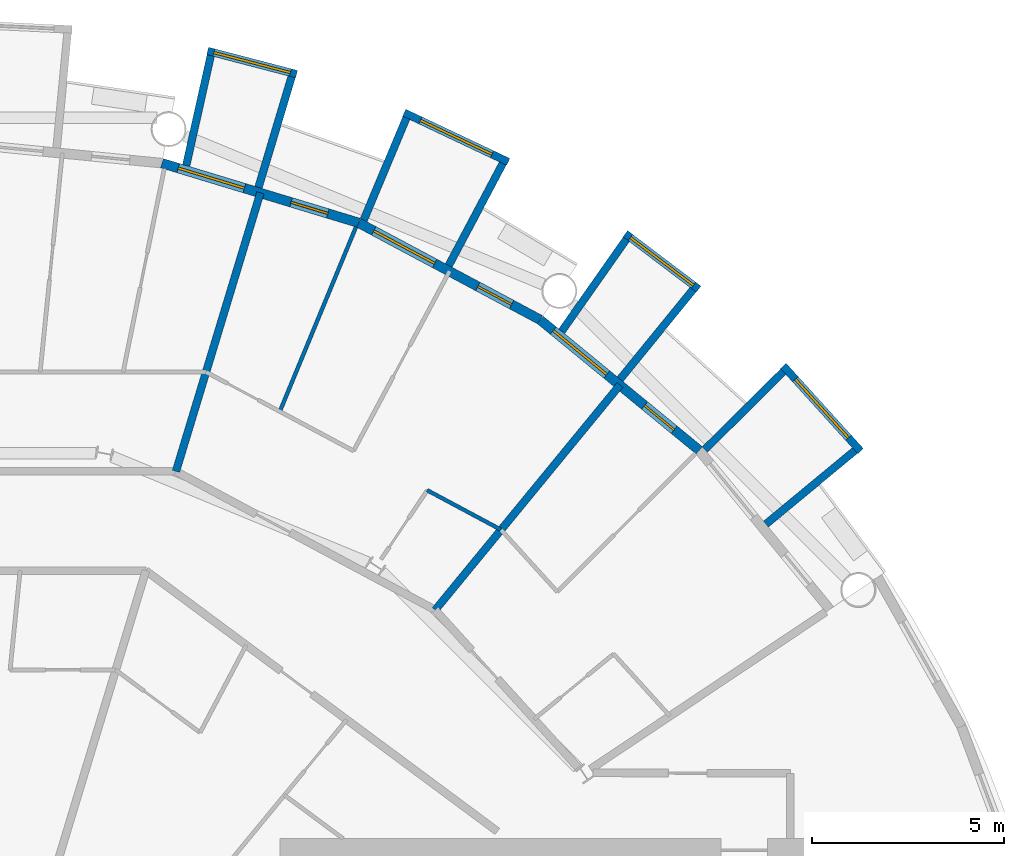
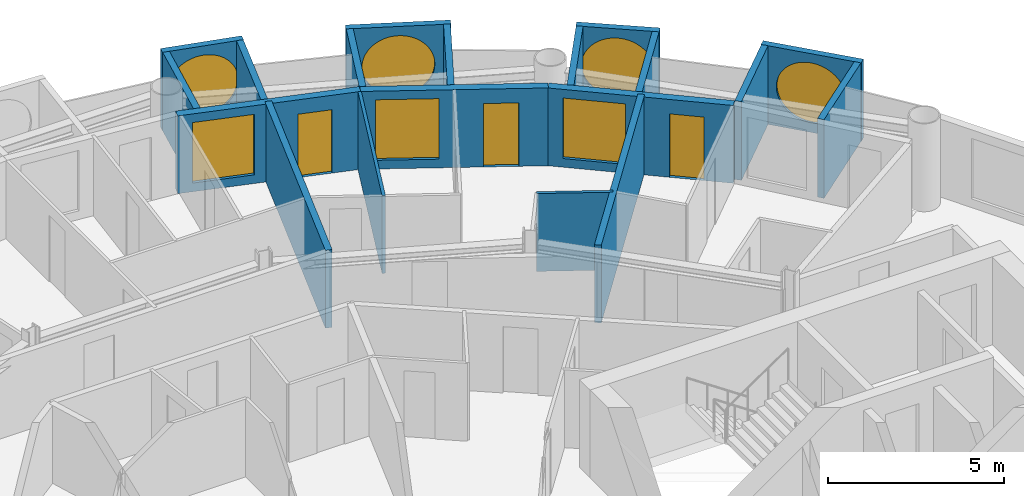
# One storey, part 23 of 27: 19 walls, 7 windows, 3 doors, 10 openings.
"""IFC4 building model written with IfcOpenShell, lengths in metres."""

from ifc_helpers import new_model, si_unit, direction, frame, frame_2d, origin, place, context, subcontext, project, spatial, rectangle, circle, extrude, material, layer, layer_set, type_object, element, fill, save


model = new_model("IFC4")

# Units and contexts
model_context = context("Model", 3, precision=1e-05, world=origin(), true_north=direction((0.0, 1.0)))
body_context = subcontext(model_context, "Body", "Model", "MODEL_VIEW")
ifc_project = project(units=[si_unit("LENGTHUNIT", "METRE"), si_unit("AREAUNIT", "SQUARE_METRE"), si_unit("VOLUMEUNIT", "CUBIC_METRE"), si_unit("PLANEANGLEUNIT", "RADIAN"), si_unit("MASSUNIT", "GRAM", prefix="KILO")], contexts=[model_context])

# Site, building, storey
site_placement = place(None, origin())
site = spatial("IfcSite", under=ifc_project, at=site_placement, CompositionType="ELEMENT")
building_placement = place(site_placement, origin())
building = spatial("IfcBuilding", under=site, at=building_placement, Name="Maasbend Ring Residences", CompositionType="ELEMENT")
storey_placement = place(building_placement, frame((0.0, 0.0, 120.800048828125)))
storey = spatial("IfcBuildingStorey", under=building, at=storey_placement, Name="L34", CompositionType="ELEMENT", Elevation=120.800048828125)

# Wall, opening, window
ifc_material_1 = material(Name="Pale anodised aluminium panel", Category="aluminium")
ifc_layer_1 = layer(ifc_material_1, 0.199951171875)
ifc_layer_set_1 = layer_set([ifc_layer_1], Name="EW-BOX")
wall_type_1 = type_object("IfcWallType", Name="EW-BOX", PredefinedType="SOLIDWALL", material=ifc_layer_set_1)
wall_1_placement = place(storey_placement, frame((23.5029296875, 19.281982421875, -0.030029296875), z_axis=(0.0, 0.0, 1.0), x_axis=(-0.671506829416, 0.740998365753, 0.0)))
wall_1 = element("IfcWall", 1, at=wall_1_placement, inside=storey, type_object=wall_type_1, Name="Box front N02", PredefinedType="SOLIDWALL", context=body_context, shape_type="SweptSolid", body=[
    extrude(rectangle(XDim=2.9931640625, YDim=0.199951171875, at=frame_2d((1.49658203125, 0.0))), origin(), (0.0, 0.0, 1.0), 2.72998046875),
])
opening_1_placement = place(wall_1_placement, frame((0.45654296875, 0.0, 0.330078125)))
opening_1 = element("IfcOpeningElement", 2, at=opening_1_placement, cuts=wall_1, Name="Opening W-RD", PredefinedType="OPENING", context=body_context, shape_type="SweptSolid", body=[
    extrude(circle(Radius=1.0400390625, at=frame_2d((1.0400390625, 1.0400390625))), frame((0.0, 0.10986328125, 0.0), z_axis=(0.0, -1.0, 0.0), x_axis=(1.0, 0.0, 0.0)), (0.0, 0.0, 1.0), 0.219970703125),
])
ifc_material_2 = material(Name="Aluminium and clear glass", Category="aluminium")
window_type_1 = type_object("IfcWindowType", Name="W-RD", PartitioningType="SINGLE_PANEL", PredefinedType="WINDOW", material=ifc_material_2)
window_1_placement = place(opening_1_placement, origin())
window_1 = element("IfcWindow", 3, at=window_1_placement, inside=storey, type_object=window_type_1, Name="Round window N02", OverallHeight=2.080078125, OverallWidth=2.080078125, PartitioningType="SINGLE_PANEL", PredefinedType="WINDOW", context=body_context, shape_type="SweptSolid", body=[
    extrude(circle(Radius=1.0400390625, at=frame_2d((1.0400390625, 1.0400390625))), frame((0.0, 0.030029296875, 0.0), z_axis=(0.0, -1.0, 0.0), x_axis=(1.0, 0.0, 0.0)), (0.0, 0.0, 1.0), 0.06005859375),
])
fill(opening_1, window_1)

# Walls
wall_2_placement = place(storey_placement, frame((21.041015625, 17.384033203125, -0.030029296875), z_axis=(0.0, 0.0, 1.0), x_axis=(0.770784861449, 0.63709551667, 0.0)))
element("IfcWall", 4, at=wall_2_placement, inside=storey, type_object=wall_type_1, Name="Box side wall N02 left", PredefinedType="SOLIDWALL", context=body_context, shape_type="SweptSolid", body=[
    extrude(rectangle(XDim=3.005859375, YDim=0.199951171875, at=frame_2d((1.5029296875, 0.0))), origin(), (0.0, 0.0, 1.0), 2.72998046875),
])
wall_3_placement = place(storey_placement, frame((19.449951171875, 19.322998046875, -0.030029296875), z_axis=(0.0, 0.0, 1.0), x_axis=(0.709727076896, 0.704476739375, 0.0)))
element("IfcWall", 5, at=wall_3_placement, inside=storey, type_object=wall_type_1, Name="Box side wall N02 right", PredefinedType="SOLIDWALL", context=body_context, shape_type="SweptSolid", body=[
    extrude(rectangle(XDim=2.883056640625, YDim=0.199951171875, at=frame_2d((1.44140625, 0.0))), origin(), (0.0, 0.0, 1.0), 2.72998046875),
])

# Wall, opening, window
wall_4_placement = place(storey_placement, frame((19.2890625, 23.4970703125, -0.030029296875), z_axis=(0.0, 0.0, 1.0), x_axis=(-0.797456837111, 0.603375996329, 0.0)))
wall_4 = element("IfcWall", 6, at=wall_4_placement, inside=storey, type_object=wall_type_1, Name="Box front N04", PredefinedType="SOLIDWALL", context=body_context, shape_type="SweptSolid", body=[
    extrude(rectangle(XDim=2.391357421875, YDim=0.199951171875, at=frame_2d((1.19580078125, 0.0))), origin(), (0.0, 0.0, 1.0), 2.72998046875),
])
opening_2_placement = place(wall_4_placement, frame((0.15576171875, 0.0, 0.330078125)))
opening_2 = element("IfcOpeningElement", 7, at=opening_2_placement, cuts=wall_4, Name="Opening W-RD", PredefinedType="OPENING", context=body_context, shape_type="SweptSolid", body=[
    extrude(circle(Radius=1.0400390625, at=frame_2d((1.0400390625, 1.0400390625))), frame((0.0, 0.10986328125, 0.0), z_axis=(0.0, -1.0, 0.0), x_axis=(1.0, 0.0, 0.0)), (0.0, 0.0, 1.0), 0.219970703125),
])
window_2_placement = place(opening_2_placement, origin())
window_2 = element("IfcWindow", 8, at=window_2_placement, inside=storey, type_object=window_type_1, Name="Round window N04", OverallHeight=2.080078125, OverallWidth=2.080078125, PartitioningType="SINGLE_PANEL", PredefinedType="WINDOW", context=body_context, shape_type="SweptSolid", body=[
    extrude(circle(Radius=1.0400390625, at=frame_2d((1.0400390625, 1.0400390625))), frame((0.0, 0.030029296875, 0.0), z_axis=(0.0, -1.0, 0.0), x_axis=(1.0, 0.0, 0.0)), (0.0, 0.0, 1.0), 0.06005859375),
])
fill(opening_2, window_2)

# Walls
wall_5_placement = place(storey_placement, frame((17.24609375, 21.155029296875, -0.030029296875), z_axis=(0.0, 0.0, 1.0), x_axis=(0.631741648902, 0.775179004516, 0.0)))
element("IfcWall", 9, at=wall_5_placement, inside=storey, type_object=wall_type_1, Name="Box side wall N04 left", PredefinedType="SOLIDWALL", context=body_context, shape_type="SweptSolid", body=[
    extrude(rectangle(XDim=3.005859375, YDim=0.199951171875, at=frame_2d((1.5029296875, 0.0))), origin(), (0.0, 0.0, 1.0), 2.72998046875),
])
wall_6_placement = place(storey_placement, frame((15.72607421875, 22.402099609375, -0.030029296875), z_axis=(0.0, 0.0, 1.0), x_axis=(0.574826383135, 0.818275399393, 0.0)))
element("IfcWall", 10, at=wall_6_placement, inside=storey, type_object=wall_type_1, Name="Box side wall N04 right", PredefinedType="SOLIDWALL", context=body_context, shape_type="SweptSolid", body=[
    extrude(rectangle(XDim=2.92919921875, YDim=0.199951171875, at=frame_2d((1.464599609375, 0.0))), origin(), (0.0, 0.0, 1.0), 2.72998046875),
])

# Wall, opening, window
wall_7_placement = place(storey_placement, frame((14.3349609375, 26.80810546875, -0.030029296875), z_axis=(0.0, 0.0, 1.0), x_axis=(-0.904000060331, 0.427532327342, 0.0)))
wall_7 = element("IfcWall", 11, at=wall_7_placement, inside=storey, type_object=wall_type_1, Name="Box front N06", PredefinedType="SOLIDWALL", context=body_context, shape_type="SweptSolid", body=[
    extrude(rectangle(XDim=2.993408203125, YDim=0.199951171875, at=frame_2d((1.49658203125, 0.0))), origin(), (0.0, 0.0, 1.0), 2.72998046875),
])
opening_3_placement = place(wall_7_placement, frame((0.45654296875, 0.0, 0.330078125)))
opening_3 = element("IfcOpeningElement", 12, at=opening_3_placement, cuts=wall_7, Name="Opening W-RD", PredefinedType="OPENING", context=body_context, shape_type="SweptSolid", body=[
    extrude(circle(Radius=1.0400390625, at=frame_2d((1.0400390625, 1.0400390625))), frame((0.0, 0.10986328125, 0.0), z_axis=(0.0, -1.0, 0.0), x_axis=(1.0, 0.0, 0.0)), (0.0, 0.0, 1.0), 0.219970703125),
])
window_3_placement = place(opening_3_placement, origin())
window_3 = element("IfcWindow", 13, at=window_3_placement, inside=storey, type_object=window_type_1, Name="Round window N06", OverallHeight=2.080078125, OverallWidth=2.080078125, PartitioningType="SINGLE_PANEL", PredefinedType="WINDOW", context=body_context, shape_type="SweptSolid", body=[
    extrude(circle(Radius=1.0400390625, at=frame_2d((1.0400390625, 1.0400390625))), frame((0.0, 0.030029296875, 0.0), z_axis=(0.0, -1.0, 0.0), x_axis=(1.0, 0.0, 0.0)), (0.0, 0.0, 1.0), 0.06005859375),
])
fill(opening_3, window_3)

# Walls
wall_8_placement = place(storey_placement, frame((12.787109375, 24.113037109375, -0.030029296875), z_axis=(0.0, 0.0, 1.0), x_axis=(0.468365282436, 0.883534924159, 0.0)))
element("IfcWall", 14, at=wall_8_placement, inside=storey, type_object=wall_type_1, Name="Box side wall N06 left", PredefinedType="SOLIDWALL", context=body_context, shape_type="SweptSolid", body=[
    extrude(rectangle(XDim=3.006103515625, YDim=0.199951171875, at=frame_2d((1.5029296875, 0.0))), origin(), (0.0, 0.0, 1.0), 2.72998046875),
])
wall_9_placement = place(storey_placement, frame((10.574951171875, 25.294921875, -0.030029296875), z_axis=(0.0, 0.0, 1.0), x_axis=(0.385697364644, 0.922625353492, 0.0)))
element("IfcWall", 15, at=wall_9_placement, inside=storey, type_object=wall_type_1, Name="Box side wall N06 right", PredefinedType="SOLIDWALL", context=body_context, shape_type="SweptSolid", body=[
    extrude(rectangle(XDim=2.88330078125, YDim=0.199951171875, at=frame_2d((1.441650390625, 0.0))), origin(), (0.0, 0.0, 1.0), 2.72998046875),
])

# Wall, opening, window
wall_10_placement = place(storey_placement, frame((8.827880859375, 29.090087890625, -0.030029296875), z_axis=(0.0, 0.0, 1.0), x_axis=(-0.967554339146, 0.252663018266, 0.0)))
wall_10 = element("IfcWall", 16, at=wall_10_placement, inside=storey, type_object=wall_type_1, Name="Box front N08", PredefinedType="SOLIDWALL", context=body_context, shape_type="SweptSolid", body=[
    extrude(rectangle(XDim=2.390625, YDim=0.199951171875, at=frame_2d((1.1953125, 0.0))), origin(), (0.0, 0.0, 1.0), 2.72998046875),
])
opening_4_placement = place(wall_10_placement, frame((0.15576171875, 0.0, 0.330078125)))
opening_4 = element("IfcOpeningElement", 17, at=opening_4_placement, cuts=wall_10, Name="Opening W-RD", PredefinedType="OPENING", context=body_context, shape_type="SweptSolid", body=[
    extrude(circle(Radius=1.0400390625, at=frame_2d((1.0400390625, 1.0400390625))), frame((0.0, 0.10986328125, 0.0), z_axis=(0.0, -1.0, 0.0), x_axis=(1.0, 0.0, 0.0)), (0.0, 0.0, 1.0), 0.219970703125),
])
window_4_placement = place(opening_4_placement, origin())
window_4 = element("IfcWindow", 18, at=window_4_placement, inside=storey, type_object=window_type_1, Name="Round window N08", OverallHeight=2.080078125, OverallWidth=2.080078125, PartitioningType="SINGLE_PANEL", PredefinedType="WINDOW", context=body_context, shape_type="SweptSolid", body=[
    extrude(circle(Radius=1.0400390625, at=frame_2d((1.0400390625, 1.0400390625))), frame((0.0, 0.030029296875, 0.0), z_axis=(0.0, -1.0, 0.0), x_axis=(1.0, 0.0, 0.0)), (0.0, 0.0, 1.0), 0.06005859375),
])
fill(opening_4, window_4)

# Walls
wall_11_placement = place(storey_placement, frame((7.8369140625, 26.14404296875, -0.030029296875), z_axis=(0.0, 0.0, 1.0), x_axis=(0.287064767992, 0.957911174889, 0.0)))
element("IfcWall", 19, at=wall_11_placement, inside=storey, type_object=wall_type_1, Name="Box side wall N08 left", PredefinedType="SOLIDWALL", context=body_context, shape_type="SweptSolid", body=[
    extrude(rectangle(XDim=3.00634765625, YDim=0.199951171875, at=frame_2d((1.503173828125, 0.0))), origin(), (0.0, 0.0, 1.0), 2.72998046875),
])
wall_12_placement = place(storey_placement, frame((5.95703125, 26.715087890625, -0.030029296875), z_axis=(0.0, 0.0, 1.0), x_axis=(0.217857287091, 0.975980636315, 0.0)))
element("IfcWall", 20, at=wall_12_placement, inside=storey, type_object=wall_type_1, Name="Box side wall N08 right", PredefinedType="SOLIDWALL", context=body_context, shape_type="SweptSolid", body=[
    extrude(rectangle(XDim=2.92822265625, YDim=0.199951171875, at=frame_2d((1.464111328125, 0.0))), origin(), (0.0, 0.0, 1.0), 2.72998046875),
])

# Wall, openings, door, window
ifc_material_3 = material(Name="Aluminium clad insulated panel", Category="aluminium")
ifc_layer_2 = layer(ifc_material_3, 0.25)
ifc_layer_set_2 = layer_set([ifc_layer_2], Name="EW-GL")
wall_type_2 = type_object("IfcWallType", Name="EW-GL", PredefinedType="SOLIDWALL", material=ifc_layer_set_2)
wall_13_placement = place(storey_placement, frame((19.303955078125, 19.303955078125, 0.0), z_axis=(0.0, 0.0, 1.0), x_axis=(-0.773019449054, 0.634382322723, 0.0)))
wall_13 = element("IfcWall", 21, at=wall_13_placement, inside=storey, type_object=wall_type_2, Name="External wall N02", PredefinedType="SOLIDWALL", context=body_context, shape_type="SweptSolid", body=[
    extrude(rectangle(XDim=5.351806640625, YDim=0.25, at=frame_2d((2.67578125, 0.0))), origin(), (0.0, 0.0, 1.0), 2.699951171875),
])
opening_5_placement = place(wall_13_placement, frame((0.841064453125, 0.0, 0.0)))
opening_5 = element("IfcOpeningElement", 22, at=opening_5_placement, cuts=wall_13, Name="Opening D-LG", PredefinedType="OPENING", context=body_context, shape_type="SweptSolid", body=[
    extrude(rectangle(XDim=1.0, YDim=2.199951171875, at=frame_2d((0.5, 1.10009765625))), frame((0.0, 0.135009765625, 0.0), z_axis=(0.0, -1.0, 0.0), x_axis=(1.0, 0.0, 0.0)), (0.0, 0.0, 1.0), 0.27001953125),
])
opening_6_placement = place(wall_13_placement, frame((3.110595703125, 0.0, 0.300048828125)))
opening_6 = element("IfcOpeningElement", 23, at=opening_6_placement, cuts=wall_13, Name="Opening W-BX", PredefinedType="OPENING", context=body_context, shape_type="SweptSolid", body=[
    extrude(rectangle(XDim=1.800048828125, YDim=2.10009765625, at=frame_2d((0.89990234375, 1.050048828125))), frame((0.0, 0.135009765625, 0.0), z_axis=(0.0, -1.0, 0.0), x_axis=(1.0, 0.0, 0.0)), (0.0, 0.0, 1.0), 0.27001953125),
])
ifc_material_4 = material(Name="Aluminium and clear glass", Category="aluminium")
door_type = type_object("IfcDoorType", Name="D-LG", OperationType="SINGLE_SWING_LEFT", PredefinedType="DOOR", material=ifc_material_4)
door_1_placement = place(opening_5_placement, origin())
door_1 = element("IfcDoor", 24, at=door_1_placement, inside=storey, type_object=door_type, Name="Loggia door N03", OperationType="SINGLE_SWING_LEFT", OverallHeight=2.199951171875, OverallWidth=1.0, PredefinedType="DOOR", context=body_context, shape_type="SweptSolid", body=[
    extrude(rectangle(XDim=1.0, YDim=2.199951171875, at=frame_2d((0.5, 1.10009765625))), frame((0.0, 0.02490234375, 0.0), z_axis=(0.0, -1.0, 0.0), x_axis=(1.0, 0.0, 0.0)), (0.0, 0.0, 1.0), 0.050048828125),
])
fill(opening_5, door_1)
ifc_material_5 = material(Name="Aluminium and clear glass", Category="aluminium")
window_type_2 = type_object("IfcWindowType", Name="W-BX", PartitioningType="DOUBLE_PANEL_VERTICAL", PredefinedType="WINDOW", material=ifc_material_5)
window_5_placement = place(opening_6_placement, origin())
window_5 = element("IfcWindow", 25, at=window_5_placement, inside=storey, type_object=window_type_2, Name="Window N04 room to box", OverallHeight=2.10009765625, OverallWidth=1.800048828125, PartitioningType="SINGLE_PANEL", PredefinedType="WINDOW", context=body_context, shape_type="SweptSolid", body=[
    extrude(rectangle(XDim=1.800048828125, YDim=2.10009765625, at=frame_2d((0.89990234375, 1.050048828125))), frame((0.0, 0.030029296875, 0.0), z_axis=(0.0, -1.0, 0.0), x_axis=(1.0, 0.0, 0.0)), (0.0, 0.0, 1.0), 0.06005859375),
])
fill(opening_6, window_5)

wall_14_placement = place(storey_placement, frame((15.1669921875, 22.698974609375, 0.0), z_axis=(0.0, 0.0, 1.0), x_axis=(-0.881915646801, 0.471407246368, 0.0)))
wall_14 = element("IfcWall", 26, at=wall_14_placement, inside=storey, type_object=wall_type_2, Name="External wall N03", PredefinedType="SOLIDWALL", context=body_context, shape_type="SweptSolid", body=[
    extrude(rectangle(XDim=5.35205078125, YDim=0.25, at=frame_2d((2.676025390625, 0.0))), origin(), (0.0, 0.0, 1.0), 2.699951171875),
])
opening_7_placement = place(wall_14_placement, frame((0.841064453125, 0.0, 0.0)))
opening_7 = element("IfcOpeningElement", 27, at=opening_7_placement, cuts=wall_14, Name="Opening D-LG", PredefinedType="OPENING", context=body_context, shape_type="SweptSolid", body=[
    extrude(rectangle(XDim=1.0, YDim=2.199951171875, at=frame_2d((0.5, 1.10009765625))), frame((0.0, 0.135009765625, 0.0), z_axis=(0.0, -1.0, 0.0), x_axis=(1.0, 0.0, 0.0)), (0.0, 0.0, 1.0), 0.27001953125),
])
opening_8_placement = place(wall_14_placement, frame((3.110595703125, 0.0, 0.300048828125)))
opening_8 = element("IfcOpeningElement", 28, at=opening_8_placement, cuts=wall_14, Name="Opening W-BX", PredefinedType="OPENING", context=body_context, shape_type="SweptSolid", body=[
    extrude(rectangle(XDim=1.800048828125, YDim=2.10009765625, at=frame_2d((0.89990234375, 1.050048828125))), frame((0.0, 0.135009765625, 0.0), z_axis=(0.0, -1.0, 0.0), x_axis=(1.0, 0.0, 0.0)), (0.0, 0.0, 1.0), 0.27001953125),
])
door_2_placement = place(opening_7_placement, origin())
door_2 = element("IfcDoor", 29, at=door_2_placement, inside=storey, type_object=door_type, Name="Loggia door N05", OperationType="SINGLE_SWING_LEFT", OverallHeight=2.199951171875, OverallWidth=1.0, PredefinedType="DOOR", context=body_context, shape_type="SweptSolid", body=[
    extrude(rectangle(XDim=1.0, YDim=2.199951171875, at=frame_2d((0.5, 1.10009765625))), frame((0.0, 0.02490234375, 0.0), z_axis=(0.0, -1.0, 0.0), x_axis=(1.0, 0.0, 0.0)), (0.0, 0.0, 1.0), 0.050048828125),
])
fill(opening_7, door_2)
window_6_placement = place(opening_8_placement, origin())
window_6 = element("IfcWindow", 30, at=window_6_placement, inside=storey, type_object=window_type_2, Name="Window N06 room to box", OverallHeight=2.10009765625, OverallWidth=1.800048828125, PartitioningType="SINGLE_PANEL", PredefinedType="WINDOW", context=body_context, shape_type="SweptSolid", body=[
    extrude(rectangle(XDim=1.800048828125, YDim=2.10009765625, at=frame_2d((0.89990234375, 1.050048828125))), frame((0.0, 0.030029296875, 0.0), z_axis=(0.0, -1.0, 0.0), x_axis=(1.0, 0.0, 0.0)), (0.0, 0.0, 1.0), 0.06005859375),
])
fill(opening_8, window_6)

wall_15_placement = place(storey_placement, frame((10.447021484375, 25.221923828125, 0.0), z_axis=(0.0, 0.0, 1.0), x_axis=(-0.956965678721, 0.290201119486, 0.0)))
wall_15 = element("IfcWall", 31, at=wall_15_placement, inside=storey, type_object=wall_type_2, Name="External wall N04", PredefinedType="SOLIDWALL", context=body_context, shape_type="SweptSolid", body=[
    extrude(rectangle(XDim=5.351318359375, YDim=0.25, at=frame_2d((2.67578125, 0.0))), origin(), (0.0, 0.0, 1.0), 2.699951171875),
])
opening_9_placement = place(wall_15_placement, frame((0.841064453125, 0.0, 0.0)))
opening_9 = element("IfcOpeningElement", 32, at=opening_9_placement, cuts=wall_15, Name="Opening D-LG", PredefinedType="OPENING", context=body_context, shape_type="SweptSolid", body=[
    extrude(rectangle(XDim=1.0, YDim=2.199951171875, at=frame_2d((0.5, 1.10009765625))), frame((0.0, 0.135009765625, 0.0), z_axis=(0.0, -1.0, 0.0), x_axis=(1.0, 0.0, 0.0)), (0.0, 0.0, 1.0), 0.27001953125),
])
opening_10_placement = place(wall_15_placement, frame((3.110595703125, 0.0, 0.300048828125)))
opening_10 = element("IfcOpeningElement", 33, at=opening_10_placement, cuts=wall_15, Name="Opening W-BX", PredefinedType="OPENING", context=body_context, shape_type="SweptSolid", body=[
    extrude(rectangle(XDim=1.800048828125, YDim=2.10009765625, at=frame_2d((0.89990234375, 1.050048828125))), frame((0.0, 0.135009765625, 0.0), z_axis=(0.0, -1.0, 0.0), x_axis=(1.0, 0.0, 0.0)), (0.0, 0.0, 1.0), 0.27001953125),
])
door_3_placement = place(opening_9_placement, origin())
door_3 = element("IfcDoor", 34, at=door_3_placement, inside=storey, type_object=door_type, Name="Loggia door N07", OperationType="SINGLE_SWING_LEFT", OverallHeight=2.199951171875, OverallWidth=1.0, PredefinedType="DOOR", context=body_context, shape_type="SweptSolid", body=[
    extrude(rectangle(XDim=1.0, YDim=2.199951171875, at=frame_2d((0.5, 1.10009765625))), frame((0.0, 0.02490234375, 0.0), z_axis=(0.0, -1.0, 0.0), x_axis=(1.0, 0.0, 0.0)), (0.0, 0.0, 1.0), 0.050048828125),
])
fill(opening_9, door_3)
window_7_placement = place(opening_10_placement, origin())
window_7 = element("IfcWindow", 35, at=window_7_placement, inside=storey, type_object=window_type_2, Name="Window N08 room to box", OverallHeight=2.10009765625, OverallWidth=1.800048828125, PartitioningType="SINGLE_PANEL", PredefinedType="WINDOW", context=body_context, shape_type="SweptSolid", body=[
    extrude(rectangle(XDim=1.800048828125, YDim=2.10009765625, at=frame_2d((0.89990234375, 1.050048828125))), frame((0.0, 0.030029296875, 0.0), z_axis=(0.0, -1.0, 0.0), x_axis=(1.0, 0.0, 0.0)), (0.0, 0.0, 1.0), 0.06005859375),
])
fill(opening_10, window_7)

# Walls
ifc_material_6 = material(Name="Gypsum board on steel studs", Category="steel")
ifc_layer_3 = layer(ifc_material_6, 0.10009765625)
ifc_layer_set_3 = layer_set([ifc_layer_3], Name="PARTITION 100 GYPSUM")
wall_type_3 = type_object("IfcWallType", Name="PARTITION 100 GYPSUM", PredefinedType="PARTITIONING", material=ifc_layer_set_3)
wall_16_placement = place(storey_placement, frame((8.39208984375, 20.31396484375, 0.0), z_axis=(0.0, 0.0, 1.0), x_axis=(0.381673756215, 0.924297107978, 0.0)))
element("IfcWall", 36, at=wall_16_placement, inside=storey, type_object=wall_type_3, Name="U-L34-w070", PredefinedType="PARTITIONING", context=body_context, shape_type="SweptSolid", body=[
    extrude(rectangle(XDim=5.1953125, YDim=0.10009765625, at=frame_2d((2.59765625, 0.0))), origin(), (0.0, 0.0, 1.0), 2.699951171875),
])
wall_17_placement = place(storey_placement, frame((12.222900390625, 18.26708984375, 0.0), z_axis=(0.0, 0.0, 1.0), x_axis=(0.881765102974, -0.47168877788, 0.0)))
element("IfcWall", 37, at=wall_17_placement, inside=storey, type_object=wall_type_3, Name="U-L34-w108", PredefinedType="PARTITIONING", context=body_context, shape_type="SweptSolid", body=[
    extrude(rectangle(XDim=2.175537109375, YDim=0.10009765625, at=frame_2d((1.087890625, 0.0))), origin(), (0.0, 0.0, 1.0), 2.699951171875),
])
ifc_material_7 = material(Name="Concrete C30/37", Category="concrete")
ifc_layer_4 = layer(ifc_material_7, 0.199951171875)
ifc_layer_set_4 = layer_set([ifc_layer_4], Name="Concrete C30/37")
wall_type_4 = type_object("IfcWallType", Name="PARTY WALL 200 CONCRETE", PredefinedType="PARTITIONING", material=ifc_layer_set_4)
wall_18_placement = place(storey_placement, frame((5.68994140625, 18.756103515625, 0.0), z_axis=(0.0, 0.0, 1.0), x_axis=(0.29005838641, 0.957008951094, 0.0)))
element("IfcWall", 38, at=wall_18_placement, inside=storey, type_object=wall_type_4, Name="U-L34-w031", PredefinedType="PARTITIONING", context=body_context, shape_type="SweptSolid", body=[
    extrude(rectangle(XDim=7.574462890625, YDim=0.199951171875, at=frame_2d((3.787109375, 0.0))), origin(), (0.0, 0.0, 1.0), 2.699951171875),
])
wall_19_placement = place(storey_placement, frame((12.43603515625, 15.14892578125, 0.0), z_axis=(0.0, 0.0, 1.0), x_axis=(0.63447412651, 0.772944100689, 0.0)))
element("IfcWall", 39, at=wall_19_placement, inside=storey, type_object=wall_type_4, Name="U-L34-w076", PredefinedType="PARTITIONING", context=body_context, shape_type="SweptSolid", body=[
    extrude(rectangle(XDim=7.576171875, YDim=0.199951171875, at=frame_2d((3.7880859375, 0.0))), origin(), (0.0, 0.0, 1.0), 2.699951171875),
])

save(model, "model.ifc")
